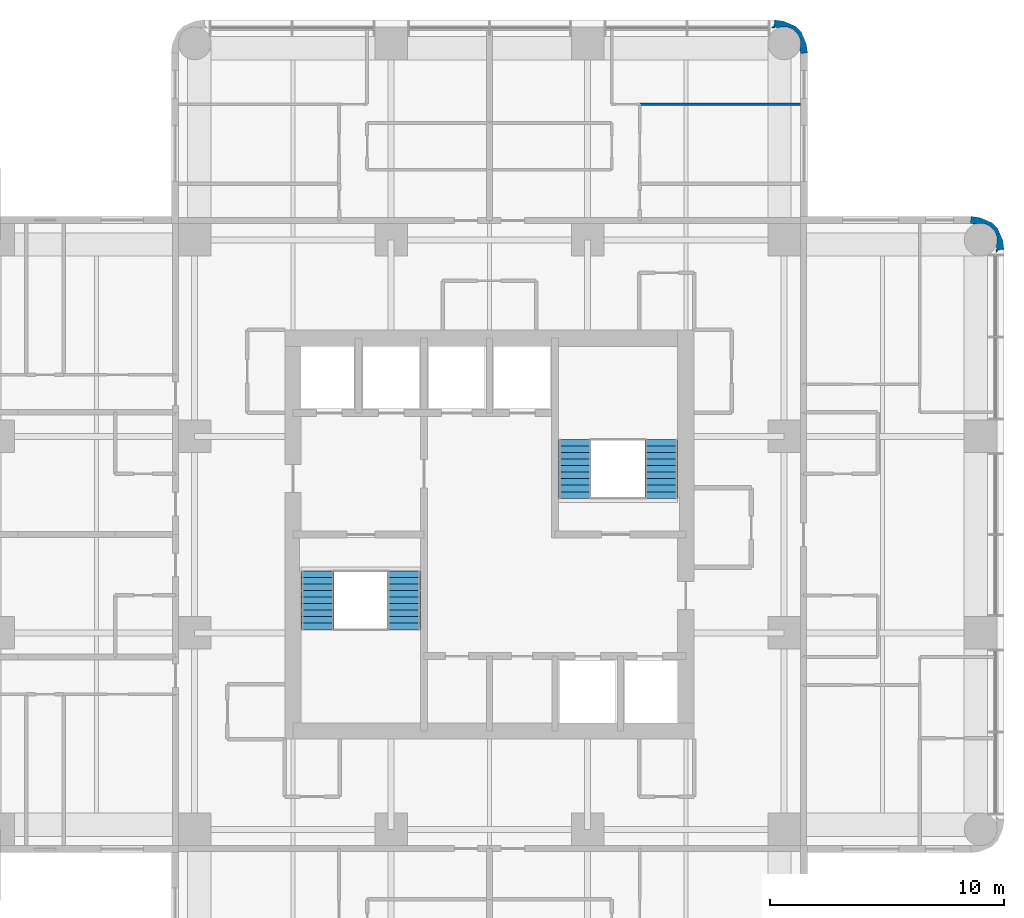
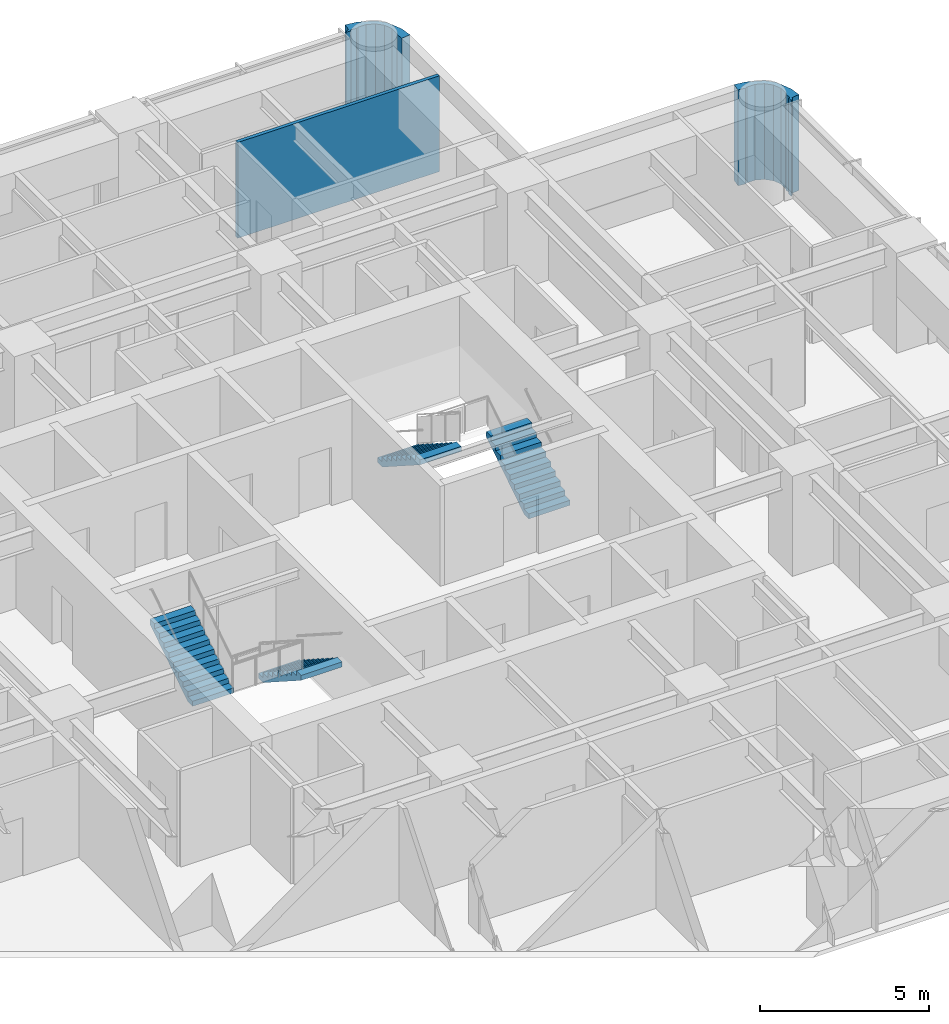
# One storey, part 10 of 11: 4 stair flights, 3 walls, 2 elements without a shape of their own.
"""IFC4 building model written with IfcOpenShell, lengths in metres."""

from ifc_helpers import new_model, si_unit, direction, frame, frame_2d, origin, place, context, subcontext, project, spatial, polyline, rectangle, outline, extrude, material, layer, layer_set, type_object, element, aggregate, save


model = new_model("IFC4")

# Units and contexts
model_context = context("Model", 3, precision=1e-05, world=origin(), true_north=direction((0.0, 1.0)))
body_context = subcontext(model_context, "Body", "Model", "MODEL_VIEW")
ifc_project = project(units=[si_unit("LENGTHUNIT", "METRE"), si_unit("AREAUNIT", "SQUARE_METRE"), si_unit("VOLUMEUNIT", "CUBIC_METRE"), si_unit("PLANEANGLEUNIT", "RADIAN"), si_unit("MASSUNIT", "GRAM", prefix="KILO")], contexts=[model_context])

# Site, building, storey
site_placement = place(None, origin())
site = spatial("IfcSite", under=ifc_project, at=site_placement, CompositionType="ELEMENT")
building_placement = place(site_placement, origin())
building = spatial("IfcBuilding", under=site, at=building_placement, Name="Torre Alcanfor", CompositionType="ELEMENT")
storey_placement = place(building_placement, frame((0.0, 0.0, 212.10009765625)))
storey = spatial("IfcBuildingStorey", under=building, at=storey_placement, Name="L55", CompositionType="ELEMENT", Elevation=212.10009765625)

# Walls
ifc_material_1 = material(Name="Gypsum board on steel studs", Category="steel")
ifc_layer_1 = layer(ifc_material_1, 0.1201171875)
ifc_layer_set_1 = layer_set([ifc_layer_1], Name="Apartment partition 120")
wall_type_1 = type_object("IfcWallType", Name="Apartment partition 120", PredefinedType="PARTITIONING", material=ifc_layer_set_1)
wall_1_placement = place(storey_placement, frame((35.8291015625, 47.800048828125, 0.0), z_axis=(0.0, 0.0, 1.0), x_axis=(1.0, 0.0, 0.0)))
element("IfcWall", 1, at=wall_1_placement, inside=storey, type_object=wall_type_1, Name="Partition L55-N2-STUDY / L55-N2-MASTER", PredefinedType="PARTITIONING", context=body_context, shape_type="SweptSolid", body=[
    extrude(rectangle(XDim=6.870849609375, YDim=0.1201171875, at=frame_2d((3.435546875, 0.0))), origin(), (0.0, 0.0, 1.0), 3.449951171875),
])
ifc_material_2 = material(Name="Limestone cladding", Category="masonry")
ifc_layer_2 = layer(ifc_material_2, 0.0400390625, Name="Facing")
ifc_material_3 = material(Name="Ventilated air cavity")
ifc_layer_3 = layer(ifc_material_3, 0.02001953125, ventilated=True, Name="Ventilated joint")
ifc_material_4 = material(Name="Mineral wool insulation", Category="insulation")
ifc_layer_4 = layer(ifc_material_4, 0.10009765625, Name="Insulation")
ifc_material_5 = material(Name="Concrete f'c 35 MPa", Category="concrete")
ifc_layer_5 = layer(ifc_material_5, 0.139892578125, Name="Backing")
ifc_layer_set_2 = layer_set([ifc_layer_2, ifc_layer_3, ifc_layer_4, ifc_layer_5], Name="Rounded corner pier stone-clad 300")
wall_type_2 = type_object("IfcWallType", Name="Rounded corner pier stone-clad 300", PredefinedType="SOLIDWALL", material=ifc_layer_set_2)
wall_2_placement = place(storey_placement, frame((50.98815184, 41.487674505, 0.0), z_axis=(0.0, 0.0, 1.0), x_axis=(0.898030234854, 0.439933741929, 0.0)))
element("IfcWall", 2, at=wall_2_placement, inside=storey, type_object=wall_type_2, Name="Corner pier L55 18", PredefinedType="SOLIDWALL", context=body_context, shape_type="SweptSolid", body=[
    extrude(outline(polyline([(0.13762845900144902, -0.0395605783475044), (0.18185793649134802, -0.00033087416050568697), (0.41922313919285215, -0.08018355093564442), (0.535860291835806, 0.2661211239178742), (0.5587746083679793, 0.6308813409414961), (0.5545700157158291, 0.6511558966825934), (0.5663920082639611, 0.8356681075750403), (0.45545119814889223, 1.159160361177863), (0.33312688681130387, 1.297925592490813), (0.32402252373636403, 1.3165225487705126), (0.08234923743790223, 1.5906923948786469), (-0.22206721491752535, 1.7928353560160377), (-0.38958661601048106, 1.540782159618673), (-0.3718277173231749, 1.5320822980229156), (-0.19464371431186422, 1.4142897687749243), (-0.11970407362674929, 1.4096575385515544), (0.13067447329798665, 1.2870002306212465), (0.31526160288378063, 1.0777694581339308), (0.4057356995697948, 0.8140544036891404), (0.38812563637514036, 0.5355946934281371), (0.26546832844483254, 0.28521614650340116), (0.2089867161004748, 0.23540500505176065), (0.14757776297591008, 0.05289210976982966), (0.10504410439149783, 0.07372881532016215), (0.03190082356790798, -0.07557748105089318), (0.13762845900144902, -0.0395605783475044)])), origin(), (0.0, 0.0, 1.0), 3.449951171875),
])
wall_3_placement = place(storey_placement, frame((42.724211819, 50.110315272, 0.0), z_axis=(0.0, 0.0, 1.0), x_axis=(0.439933741929, 0.898030234854, 0.0)))
element("IfcWall", 3, at=wall_3_placement, inside=storey, type_object=wall_type_2, Name="Corner pier L55 19", PredefinedType="SOLIDWALL", context=body_context, shape_type="SweptSolid", body=[
    extrude(outline(polyline([(-0.14525732426811072, -0.04414433895897353), (0.0222620768248451, -0.29619753535633836), (0.3266785291802725, -0.09405457421894756), (0.5683518154787345, 0.1801152718891868), (0.5774561785536743, 0.19871222816888634), (0.6997804898912626, 0.33747745948183633), (0.8107213000063315, 0.6609697130846591), (0.7988993074581994, 0.8454819239771059), (0.8031039001103497, 0.8657564797182034), (0.7801895835781762, 1.2305166967418253), (0.6635524309352225, 1.5768213715953436), (0.42618722823371835, 1.496968694820205), (0.38195775074381944, 1.5361983990072037), (0.2762301153102783, 1.5722153017105926), (0.3493733961338682, 1.4229090053395372), (0.39190705471828047, 1.4437457108898697), (0.45331600784284515, 1.2612328156079387), (0.5097976201872029, 1.2114216741562982), (0.6324549281175107, 0.9610431272315622), (0.6500649913121652, 0.6825834169705589), (0.559590894626151, 0.4188683625257686), (0.37500376504035704, 0.20963759003845278), (0.1246252181156211, 0.08698028210814499), (0.04968557743050611, 0.08234805188477495), (-0.12749842558080457, -0.035444477363216154), (-0.14525732426811072, -0.04414433895897353)])), origin(), (0.0, 0.0, 1.0), 3.449951171875),
])

# Stair, stair flights
ifc_material_6 = material(Name="Concrete f'c 35 MPa", Category="concrete")
stair_type_1 = type_object("IfcStairType", Name="Exit stair S1 1400 wide", PredefinedType="HALF_TURN_STAIR", material=ifc_material_6)
stair_1_placement = place(storey_placement, origin())
stair_1 = element("IfcStair", 4, at=stair_1_placement, inside=storey, type_object=stair_type_1, Name="Stair S1 L55 to L56", PredefinedType="HALF_TURN_STAIR")
ifc_material_7 = material(Name="Concrete f'c 35 MPa", Category="concrete")
stair_flight_type = type_object("IfcStairFlightType", Name="Stair flight 1400", PredefinedType="STRAIGHT", material=ifc_material_7)
stair_flight_1_placement = place(storey_placement, frame((25.75, 27.85009765625, 0.0), z_axis=(0.0, 0.0, 1.0), x_axis=(0.0, -1.0, 0.0)))
stair_flight_1 = element("IfcStairFlight", 5, at=stair_flight_1_placement, type_object=stair_flight_type, Name="S1 flight 1", NumberOfRisers=10, NumberOfTreads=9, PredefinedType="STRAIGHT", RiserHeight=0.18, TreadLength=0.28, context=body_context, shape_type="SweptSolid", body=[
    extrude(outline(polyline([(0.0, 0.0), (0.0, 0.179931640625), (0.280029296875, 0.179931640625), (0.280029296875, 0.360107421875), (0.56005859375, 0.360107421875), (0.56005859375, 0.5400390625), (0.840087890625, 0.5400390625), (0.840087890625, 0.719970703125), (1.1201171875, 0.719970703125), (1.1201171875, 0.89990234375), (1.39990234375, 0.89990234375), (1.39990234375, 1.080078125), (1.679931640625, 1.080078125), (1.679931640625, 1.260009765625), (1.9599609375, 1.260009765625), (1.9599609375, 1.43994140625), (2.239990234375, 1.43994140625), (2.239990234375, 1.6201171875), (2.52001953125, 1.6201171875), (2.52001953125, 1.800048828125), (2.52001953125, 1.44189453125), (0.277099609375, 0.0), (0.0, 0.0)])), frame((0.0, 0.699951171875, 0.0), z_axis=(0.0, -1.0, 0.0), x_axis=(1.0, 0.0, 0.0)), (0.0, 0.0, 1.0), 1.39990234375),
])
stair_flight_2_placement = place(storey_placement, frame((22.050048828125, 25.330078125, 1.7998046875), z_axis=(0.0, 0.0, 1.0), x_axis=(0.0, 1.0, 0.0)))
stair_flight_2 = element("IfcStairFlight", 6, at=stair_flight_2_placement, type_object=stair_flight_type, Name="S1 flight 2", NumberOfRisers=10, NumberOfTreads=9, PredefinedType="STRAIGHT", RiserHeight=0.18, TreadLength=0.28, context=body_context, shape_type="SweptSolid", body=[
    extrude(outline(polyline([(0.0, 0.0), (0.0, 0.179931640625), (0.280029296875, 0.179931640625), (0.280029296875, 0.360107421875), (0.56005859375, 0.360107421875), (0.56005859375, 0.5400390625), (0.840087890625, 0.5400390625), (0.840087890625, 0.719970703125), (1.1201171875, 0.719970703125), (1.1201171875, 0.89990234375), (1.39990234375, 0.89990234375), (1.39990234375, 1.080078125), (1.679931640625, 1.080078125), (1.679931640625, 1.260009765625), (1.9599609375, 1.260009765625), (1.9599609375, 1.43994140625), (2.239990234375, 1.43994140625), (2.239990234375, 1.6201171875), (2.52001953125, 1.6201171875), (2.52001953125, 1.800048828125), (2.52001953125, 1.44189453125), (0.277099609375, 0.0), (0.0, 0.0)])), frame((0.0, 0.699951171875, 0.0), z_axis=(0.0, -1.0, 0.0), x_axis=(1.0, 0.0, 0.0)), (0.0, 0.0, 1.0), 1.39990234375),
])
aggregate(stair_1, [stair_flight_1, stair_flight_2])

ifc_material_8 = material(Name="Concrete f'c 35 MPa", Category="concrete")
stair_type_2 = type_object("IfcStairType", Name="Exit stair S2 1400 wide", PredefinedType="HALF_TURN_STAIR", material=ifc_material_8)
stair_2_placement = place(storey_placement, origin())
stair_2 = element("IfcStair", 7, at=stair_2_placement, inside=storey, type_object=stair_type_2, Name="Stair S2 L55 to L56", PredefinedType="HALF_TURN_STAIR")
stair_flight_3_placement = place(storey_placement, frame((36.75, 30.949951171875, 0.0), z_axis=(0.0, 0.0, 1.0), x_axis=(0.0, 1.0, 0.0)))
stair_flight_3 = element("IfcStairFlight", 8, at=stair_flight_3_placement, type_object=stair_flight_type, Name="S2 flight 1", NumberOfRisers=10, NumberOfTreads=9, PredefinedType="STRAIGHT", RiserHeight=0.18, TreadLength=0.28, context=body_context, shape_type="SweptSolid", body=[
    extrude(outline(polyline([(0.0, 0.0), (0.0, 0.179931640625), (0.280029296875, 0.179931640625), (0.280029296875, 0.360107421875), (0.56005859375, 0.360107421875), (0.56005859375, 0.5400390625), (0.840087890625, 0.5400390625), (0.840087890625, 0.719970703125), (1.1201171875, 0.719970703125), (1.1201171875, 0.89990234375), (1.39990234375, 0.89990234375), (1.39990234375, 1.080078125), (1.679931640625, 1.080078125), (1.679931640625, 1.260009765625), (1.9599609375, 1.260009765625), (1.9599609375, 1.43994140625), (2.239990234375, 1.43994140625), (2.239990234375, 1.6201171875), (2.52001953125, 1.6201171875), (2.52001953125, 1.800048828125), (2.52001953125, 1.44189453125), (0.277099609375, 0.0), (0.0, 0.0)])), frame((0.0, 0.699951171875, 0.0), z_axis=(0.0, -1.0, 0.0), x_axis=(1.0, 0.0, 0.0)), (0.0, 0.0, 1.0), 1.39990234375),
])
stair_flight_4_placement = place(storey_placement, frame((33.050048828125, 33.469970703125, 1.7998046875), z_axis=(0.0, 0.0, 1.0), x_axis=(0.0, -1.0, 0.0)))
stair_flight_4 = element("IfcStairFlight", 9, at=stair_flight_4_placement, type_object=stair_flight_type, Name="S2 flight 2", NumberOfRisers=10, NumberOfTreads=9, PredefinedType="STRAIGHT", RiserHeight=0.18, TreadLength=0.28, context=body_context, shape_type="SweptSolid", body=[
    extrude(outline(polyline([(0.0, 0.0), (0.0, 0.179931640625), (0.280029296875, 0.179931640625), (0.280029296875, 0.360107421875), (0.56005859375, 0.360107421875), (0.56005859375, 0.5400390625), (0.840087890625, 0.5400390625), (0.840087890625, 0.719970703125), (1.1201171875, 0.719970703125), (1.1201171875, 0.89990234375), (1.39990234375, 0.89990234375), (1.39990234375, 1.080078125), (1.679931640625, 1.080078125), (1.679931640625, 1.260009765625), (1.9599609375, 1.260009765625), (1.9599609375, 1.43994140625), (2.239990234375, 1.43994140625), (2.239990234375, 1.6201171875), (2.52001953125, 1.6201171875), (2.52001953125, 1.800048828125), (2.52001953125, 1.44189453125), (0.277099609375, 0.0), (0.0, 0.0)])), frame((0.0, 0.699951171875, 0.0), z_axis=(0.0, -1.0, 0.0), x_axis=(1.0, 0.0, 0.0)), (0.0, 0.0, 1.0), 1.39990234375),
])
aggregate(stair_2, [stair_flight_3, stair_flight_4])

save(model, "model.ifc")
